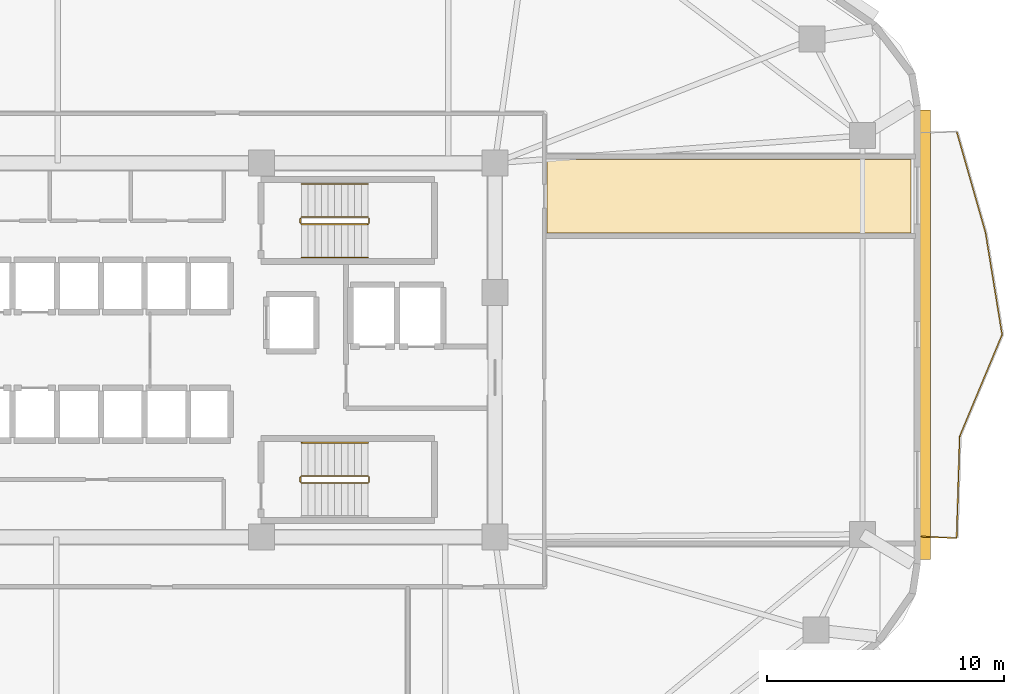
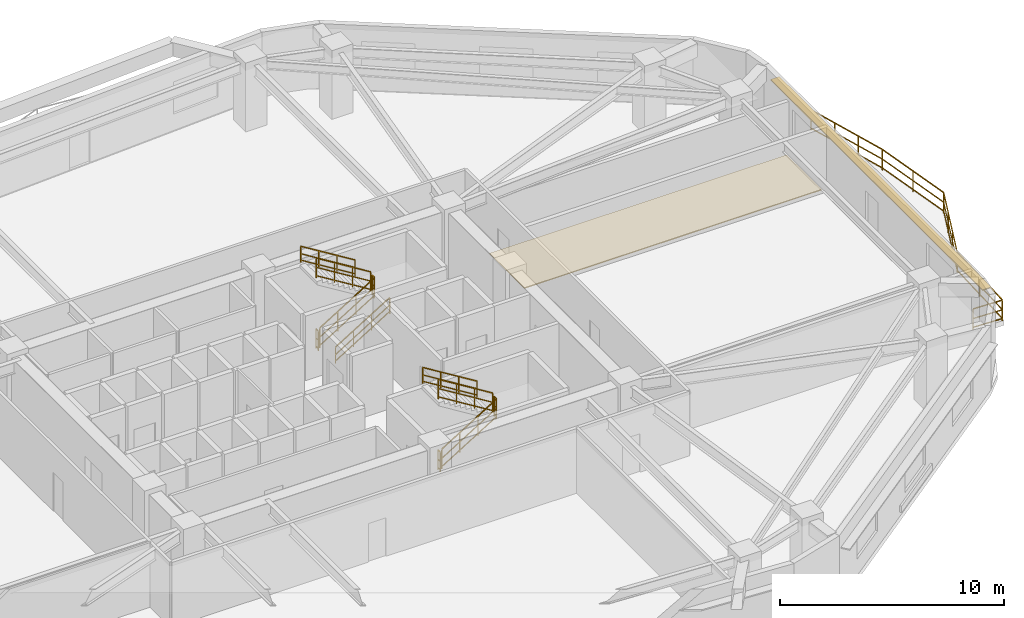
# One storey, part 8 of 9: 16 railings, 1 covering, 1 shading device.
"""IFC4 building model written with IfcOpenShell, lengths in metres."""

from ifc_helpers import new_model, si_unit, direction, frame, origin, origin_2d, place, context, subcontext, project, spatial, polyline, rectangle, outline, extrude, material, layer, layer_set, type_object, element, save


model = new_model("IFC4")

# Units and contexts
model_context = context("Model", 3, precision=1e-05, world=origin(), true_north=direction((0.0, 1.0)))
body_context = subcontext(model_context, "Body", "Model", "MODEL_VIEW")
ifc_project = project(units=[si_unit("LENGTHUNIT", "METRE"), si_unit("AREAUNIT", "SQUARE_METRE"), si_unit("VOLUMEUNIT", "CUBIC_METRE"), si_unit("PLANEANGLEUNIT", "RADIAN"), si_unit("MASSUNIT", "GRAM", prefix="KILO")], contexts=[model_context])

# Site, building, storey
site_placement = place(None, origin())
site = spatial("IfcSite", under=ifc_project, at=site_placement, CompositionType="ELEMENT")
building_placement = place(site_placement, origin())
building = spatial("IfcBuilding", under=site, at=building_placement, Name="Zulverin Broadcast Headquarters", CompositionType="ELEMENT")
storey_placement = place(building_placement, frame((0.0, 0.0, 104.800048828125)))
storey = spatial("IfcBuildingStorey", under=building, at=storey_placement, Name="L26", CompositionType="ELEMENT", Elevation=104.800048828125)

# Covering
ifc_material_1 = material(Name="Anti-static broadcast raised access flooring", Category="stone")
ifc_layer_1 = layer(ifc_material_1, 0.050048828125, Name="Anti-static broadcast raised access flooring", Category="stone")
ifc_layer_set_1 = layer_set([ifc_layer_1], Name="Anti-static broadcast raised access flooring")
covering_type = type_object("IfcCoveringType", Name="COV-FLR-RAISED", PredefinedType="FLOORING", material=ifc_layer_set_1)
covering_placement = place(storey_placement, origin())
element("IfcCovering", 1, at=covering_placement, inside=storey, type_object=covering_type, Name="L26 Broadcast Raised Access Flooring 02", PredefinedType="FLOORING", context=body_context, shape_type="SweptSolid", body=[
    extrude(outline(polyline([(50.471923828125, 30.1201171875), (65.800048828125, 30.1201171875), (65.800048828125, 33.23193359375), (50.471923828125, 33.23193359375), (50.471923828125, 30.1201171875)])), origin(), (0.0, 0.0, 1.0), 0.050048828125),
])

# Railings
ifc_material_2 = material(Name="Brushed stainless steel & laminated glass balustrade", Category="steel")
railing_type_1 = type_object("IfcRailingType", Name="RL-GUARD-1150", PredefinedType="GUARDRAIL", material=ifc_material_2)
railing_1_placement = place(storey_placement, frame((66.239990234375, 17.343505859375, 0.0)))
element("IfcRailing", 2, at=railing_1_placement, inside=storey, type_object=railing_type_1, Name="L26 Vertical-Forest Balcony Guardrail BAL_E Segment 01", PredefinedType="GUARDRAIL", context=body_context, shape_type="SweptSolid", body=[
    extrude(rectangle(XDim=0.048095703125, YDim=0.048095703125, at=origin_2d()), frame((0.0, 0.0, 1.1259765625), z_axis=(0.999174410196, -0.040626321628, 0.0), x_axis=(0.040626321628, 0.999174410196, 0.0)), (0.0, 0.0, 1.0), 1.46630859375),
    extrude(rectangle(XDim=0.0419921875, YDim=0.0419921875, at=origin_2d()), frame((0.0, 0.0, 0.597900390625), z_axis=(0.999174410196, -0.040626321628, 0.0), x_axis=(0.040626321628, 0.999174410196, 0.0)), (0.0, 0.0, 1.0), 1.46630859375),
    extrude(rectangle(XDim=0.0419921875, YDim=0.0419921875, at=origin_2d()), frame((0.0, 0.0, 0.1201171875), z_axis=(0.999174410196, -0.040626321628, 0.0), x_axis=(0.040626321628, 0.999174410196, 0.0)), (0.0, 0.0, 1.0), 1.46630859375),
    extrude(rectangle(XDim=0.0419921875, YDim=0.0419921875, at=origin_2d()), origin(), (0.0, 0.0, 1.0), 1.101806640625),
    extrude(rectangle(XDim=0.0419921875, YDim=0.0419921875, at=origin_2d()), frame((1.465087890625, -0.0595703125, 0.0)), (0.0, 0.0, 1.0), 1.101806640625),
])
railing_2_placement = place(storey_placement, frame((67.720458984375, 17.29833984375, 0.0)))
element("IfcRailing", 3, at=railing_2_placement, inside=storey, type_object=railing_type_1, Name="L26 Vertical-Forest Balcony Guardrail BAL_E Segment 02", PredefinedType="GUARDRAIL", context=body_context, shape_type="SweptSolid", body=[
    extrude(rectangle(XDim=0.048095703125, YDim=0.048095703125, at=origin_2d()), frame((0.0, 0.0, 1.1259765625), z_axis=(0.030066767835, 0.999547892535, 0.0), x_axis=(-0.999547892535, 0.030066767835, 0.0)), (0.0, 0.0, 1.0), 4.2548828125),
    extrude(rectangle(XDim=0.0419921875, YDim=0.0419921875, at=origin_2d()), frame((0.0, 0.0, 0.597900390625), z_axis=(0.030066767835, 0.999547892535, 0.0), x_axis=(-0.999547892535, 0.030066767835, 0.0)), (0.0, 0.0, 1.0), 4.2548828125),
    extrude(rectangle(XDim=0.0419921875, YDim=0.0419921875, at=origin_2d()), frame((0.0, 0.0, 0.1201171875), z_axis=(0.030066767835, 0.999547892535, 0.0), x_axis=(-0.999547892535, 0.030066767835, 0.0)), (0.0, 0.0, 1.0), 4.2548828125),
    extrude(rectangle(XDim=0.0419921875, YDim=0.0419921875, at=origin_2d()), origin(), (0.0, 0.0, 1.0), 1.101806640625),
    extrude(rectangle(XDim=0.0419921875, YDim=0.0419921875, at=origin_2d()), frame((0.06396484375, 2.12646484375, 0.0)), (0.0, 0.0, 1.0), 1.101806640625),
    extrude(rectangle(XDim=0.0419921875, YDim=0.0419921875, at=origin_2d()), frame((0.1279296875, 4.2529296875, 0.0)), (0.0, 0.0, 1.0), 1.101806640625),
])
railing_3_placement = place(storey_placement, frame((67.854736328125, 21.580078125, 0.0)))
element("IfcRailing", 4, at=railing_3_placement, inside=storey, type_object=railing_type_1, Name="L26 Vertical-Forest Balcony Guardrail BAL_E Segment 03", PredefinedType="GUARDRAIL", context=body_context, shape_type="SweptSolid", body=[
    extrude(rectangle(XDim=0.048095703125, YDim=0.048095703125, at=origin_2d()), frame((0.0, 0.0, 1.1259765625), z_axis=(0.384837228124, 0.922984456993, 0.0), x_axis=(-0.922984456993, 0.384837228124, 0.0)), (0.0, 0.0, 1.0), 4.610107421875),
    extrude(rectangle(XDim=0.0419921875, YDim=0.0419921875, at=origin_2d()), frame((0.0, 0.0, 0.597900390625), z_axis=(0.384837228124, 0.922984456993, 0.0), x_axis=(-0.922984456993, 0.384837228124, 0.0)), (0.0, 0.0, 1.0), 4.610107421875),
    extrude(rectangle(XDim=0.0419921875, YDim=0.0419921875, at=origin_2d()), frame((0.0, 0.0, 0.1201171875), z_axis=(0.384837228124, 0.922984456993, 0.0), x_axis=(-0.922984456993, 0.384837228124, 0.0)), (0.0, 0.0, 1.0), 4.610107421875),
    extrude(rectangle(XDim=0.0419921875, YDim=0.0419921875, at=origin_2d()), origin(), (0.0, 0.0, 1.0), 1.101806640625),
    extrude(rectangle(XDim=0.0419921875, YDim=0.0419921875, at=origin_2d()), frame((0.59130859375, 1.41845703125, 0.0)), (0.0, 0.0, 1.0), 1.101806640625),
    extrude(rectangle(XDim=0.0419921875, YDim=0.0419921875, at=origin_2d()), frame((1.182861328125, 2.836669921875, 0.0)), (0.0, 0.0, 1.0), 1.101806640625),
    extrude(rectangle(XDim=0.0419921875, YDim=0.0419921875, at=origin_2d()), frame((1.774169921875, 4.255126953125, 0.0)), (0.0, 0.0, 1.0), 1.101806640625),
])
railing_4_placement = place(storey_placement, frame((69.632080078125, 25.86376953125, 0.0)))
element("IfcRailing", 5, at=railing_4_placement, inside=storey, type_object=railing_type_1, Name="L26 Vertical-Forest Balcony Guardrail BAL_E Segment 04", PredefinedType="GUARDRAIL", context=body_context, shape_type="SweptSolid", body=[
    extrude(rectangle(XDim=0.048095703125, YDim=0.048095703125, at=origin_2d()), frame((0.0, 0.0, 1.1259765625), z_axis=(-0.160345697717, 0.987060918699, 0.0), x_axis=(-0.987060918699, -0.160345697717, 0.0)), (0.0, 0.0, 1.0), 4.308837890625),
    extrude(rectangle(XDim=0.0419921875, YDim=0.0419921875, at=origin_2d()), frame((0.0, 0.0, 0.597900390625), z_axis=(-0.160345697717, 0.987060918699, 0.0), x_axis=(-0.987060918699, -0.160345697717, 0.0)), (0.0, 0.0, 1.0), 4.308837890625),
    extrude(rectangle(XDim=0.0419921875, YDim=0.0419921875, at=origin_2d()), frame((0.0, 0.0, 0.1201171875), z_axis=(-0.160345697717, 0.987060918699, 0.0), x_axis=(-0.987060918699, -0.160345697717, 0.0)), (0.0, 0.0, 1.0), 4.308837890625),
    extrude(rectangle(XDim=0.0419921875, YDim=0.0419921875, at=origin_2d()), origin(), (0.0, 0.0, 1.0), 1.101806640625),
    extrude(rectangle(XDim=0.0419921875, YDim=0.0419921875, at=origin_2d()), frame((-0.345458984375, 2.12646484375, 0.0)), (0.0, 0.0, 1.0), 1.101806640625),
    extrude(rectangle(XDim=0.0419921875, YDim=0.0419921875, at=origin_2d()), frame((-0.69091796875, 4.253173828125, 0.0)), (0.0, 0.0, 1.0), 1.101806640625),
])
railing_5_placement = place(storey_placement, frame((68.9345703125, 30.14599609375, 0.0)))
element("IfcRailing", 6, at=railing_5_placement, inside=storey, type_object=railing_type_1, Name="L26 Vertical-Forest Balcony Guardrail BAL_E Segment 05", PredefinedType="GUARDRAIL", context=body_context, shape_type="SweptSolid", body=[
    extrude(rectangle(XDim=0.048095703125, YDim=0.048095703125, at=origin_2d()), frame((0.0, 0.0, 1.1259765625), z_axis=(-0.273671162685, 0.961823317826, 0.0), x_axis=(-0.961823317826, -0.273671162685, 0.0)), (0.0, 0.0, 1.0), 4.423095703125),
    extrude(rectangle(XDim=0.0419921875, YDim=0.0419921875, at=origin_2d()), frame((0.0, 0.0, 0.597900390625), z_axis=(-0.273671162685, 0.961823317826, 0.0), x_axis=(-0.961823317826, -0.273671162685, 0.0)), (0.0, 0.0, 1.0), 4.423095703125),
    extrude(rectangle(XDim=0.0419921875, YDim=0.0419921875, at=origin_2d()), frame((0.0, 0.0, 0.1201171875), z_axis=(-0.273671162685, 0.961823317826, 0.0), x_axis=(-0.961823317826, -0.273671162685, 0.0)), (0.0, 0.0, 1.0), 4.423095703125),
    extrude(rectangle(XDim=0.0419921875, YDim=0.0419921875, at=origin_2d()), origin(), (0.0, 0.0, 1.0), 1.101806640625),
    extrude(rectangle(XDim=0.0419921875, YDim=0.0419921875, at=origin_2d()), frame((-0.403564453125, 1.41796875, 0.0)), (0.0, 0.0, 1.0), 1.101806640625),
    extrude(rectangle(XDim=0.0419921875, YDim=0.0419921875, at=origin_2d()), frame((-0.806884765625, 2.836181640625, 0.0)), (0.0, 0.0, 1.0), 1.101806640625),
    extrude(rectangle(XDim=0.0419921875, YDim=0.0419921875, at=origin_2d()), frame((-1.21044921875, 4.254150390625, 0.0)), (0.0, 0.0, 1.0), 1.101806640625),
])
ifc_material_3 = material(Name="Painted galvanized steel tubular guardrail S355JR", Category="steel")
railing_type_2 = type_object("IfcRailingType", Name="RL-ST-GUARD", PredefinedType="GUARDRAIL", material=ifc_material_3)
railing_6_placement = place(storey_placement, frame((40.1298828125, 30.5, 0.172607421875)))
element("IfcRailing", 7, at=railing_6_placement, inside=storey, type_object=railing_type_2, Name="L26 ST-1 stair guard 1", PredefinedType="GUARDRAIL", context=body_context, shape_type="SweptSolid", body=[
    extrude(rectangle(XDim=0.048095703125, YDim=0.048095703125, at=origin_2d()), frame((0.0, 0.0, 1.076171875), z_axis=(0.851089632645, 0.0, 0.525020415988), x_axis=(0.0, 1.0, 0.0)), (0.0, 0.0, 1.0), 3.2900390625),
    extrude(rectangle(XDim=0.0419921875, YDim=0.0419921875, at=origin_2d()), frame((0.0, 0.0, 0.572021484375), z_axis=(0.851089632645, 0.0, 0.525020415988), x_axis=(0.0, 1.0, 0.0)), (0.0, 0.0, 1.0), 3.2900390625),
    extrude(rectangle(XDim=0.0419921875, YDim=0.0419921875, at=origin_2d()), frame((0.0, 0.0, 0.1201171875), z_axis=(0.851089632645, 0.0, 0.525020415988), x_axis=(0.0, 1.0, 0.0)), (0.0, 0.0, 1.0), 3.2900390625),
    extrude(rectangle(XDim=0.0419921875, YDim=0.0419921875, at=origin_2d()), origin(), (0.0, 0.0, 1.0), 1.052001953125),
    extrude(rectangle(XDim=0.0419921875, YDim=0.0419921875, at=origin_2d()), frame((0.933349609375, 0.0, 0.57568359375)), (0.0, 0.0, 1.0), 1.052001953125),
    extrude(rectangle(XDim=0.0419921875, YDim=0.0419921875, at=origin_2d()), frame((1.86669921875, 0.0, 1.151611328125)), (0.0, 0.0, 1.0), 1.052001953125),
    extrude(rectangle(XDim=0.0419921875, YDim=0.0419921875, at=origin_2d()), frame((2.800048828125, 0.0, 1.727294921875)), (0.0, 0.0, 1.0), 1.052001953125),
])
railing_7_placement = place(storey_placement, frame((42.97998046875, 30.550048828125, 1.89990234375)))
element("IfcRailing", 8, at=railing_7_placement, inside=storey, type_object=railing_type_2, Name="L26 ST-1 stair guard 2", PredefinedType="GUARDRAIL", context=body_context, shape_type="SweptSolid", body=[
    extrude(rectangle(XDim=0.048095703125, YDim=0.048095703125, at=origin_2d()), frame((0.0, 0.0, 1.076171875), z_axis=(0.0, 1.0, 0.0), x_axis=(-1.0, 0.0, 0.0)), (0.0, 0.0, 1.0), 0.199951171875),
    extrude(rectangle(XDim=0.0419921875, YDim=0.0419921875, at=origin_2d()), frame((0.0, 0.0, 0.572021484375), z_axis=(0.0, 1.0, 0.0), x_axis=(-1.0, 0.0, 0.0)), (0.0, 0.0, 1.0), 0.199951171875),
    extrude(rectangle(XDim=0.0419921875, YDim=0.0419921875, at=origin_2d()), frame((0.0, 0.0, 0.1201171875), z_axis=(0.0, 1.0, 0.0), x_axis=(-1.0, 0.0, 0.0)), (0.0, 0.0, 1.0), 0.199951171875),
    extrude(rectangle(XDim=0.0419921875, YDim=0.0419921875, at=origin_2d()), origin(), (0.0, 0.0, 1.0), 1.052001953125),
    extrude(rectangle(XDim=0.0419921875, YDim=0.0419921875, at=origin_2d()), frame((0.0, 0.199951171875, 0.0)), (0.0, 0.0, 1.0), 1.052001953125),
])
railing_8_placement = place(storey_placement, frame((42.929931640625, 30.800048828125, 2.07275390625)))
element("IfcRailing", 9, at=railing_8_placement, inside=storey, type_object=railing_type_2, Name="L26 ST-1 stair guard 3", PredefinedType="GUARDRAIL", context=body_context, shape_type="SweptSolid", body=[
    extrude(rectangle(XDim=0.048095703125, YDim=0.048095703125, at=origin_2d()), frame((0.0, 0.0, 1.076171875), z_axis=(-0.851089632645, 0.0, 0.525020415988), x_axis=(0.0, -1.0, 0.0)), (0.0, 0.0, 1.0), 3.2900390625),
    extrude(rectangle(XDim=0.0419921875, YDim=0.0419921875, at=origin_2d()), frame((0.0, 0.0, 0.572021484375), z_axis=(-0.851089632645, 0.0, 0.525020415988), x_axis=(0.0, -1.0, 0.0)), (0.0, 0.0, 1.0), 3.2900390625),
    extrude(rectangle(XDim=0.0419921875, YDim=0.0419921875, at=origin_2d()), frame((0.0, 0.0, 0.1201171875), z_axis=(-0.851089632645, 0.0, 0.525020415988), x_axis=(0.0, -1.0, 0.0)), (0.0, 0.0, 1.0), 3.2900390625),
    extrude(rectangle(XDim=0.0419921875, YDim=0.0419921875, at=origin_2d()), origin(), (0.0, 0.0, 1.0), 1.052001953125),
    extrude(rectangle(XDim=0.0419921875, YDim=0.0419921875, at=origin_2d()), frame((-0.933349609375, 0.0, 0.57568359375)), (0.0, 0.0, 1.0), 1.052001953125),
    extrude(rectangle(XDim=0.0419921875, YDim=0.0419921875, at=origin_2d()), frame((-1.86669921875, 0.0, 1.151611328125)), (0.0, 0.0, 1.0), 1.052001953125),
    extrude(rectangle(XDim=0.0419921875, YDim=0.0419921875, at=origin_2d()), frame((-2.800048828125, 0.0, 1.727294921875)), (0.0, 0.0, 1.0), 1.052001953125),
])
railing_9_placement = place(storey_placement, frame((40.080078125, 30.550048828125, 0.0)))
element("IfcRailing", 10, at=railing_9_placement, inside=storey, type_object=railing_type_2, Name="L26 ST-1 stair guard 4", PredefinedType="GUARDRAIL", context=body_context, shape_type="SweptSolid", body=[
    extrude(rectangle(XDim=0.048095703125, YDim=0.048095703125, at=origin_2d()), frame((0.0, 0.0, 1.076171875), z_axis=(0.0, 1.0, 0.0), x_axis=(-1.0, 0.0, 0.0)), (0.0, 0.0, 1.0), 0.199951171875),
    extrude(rectangle(XDim=0.0419921875, YDim=0.0419921875, at=origin_2d()), frame((0.0, 0.0, 0.572021484375), z_axis=(0.0, 1.0, 0.0), x_axis=(-1.0, 0.0, 0.0)), (0.0, 0.0, 1.0), 0.199951171875),
    extrude(rectangle(XDim=0.0419921875, YDim=0.0419921875, at=origin_2d()), frame((0.0, 0.0, 0.1201171875), z_axis=(0.0, 1.0, 0.0), x_axis=(-1.0, 0.0, 0.0)), (0.0, 0.0, 1.0), 0.199951171875),
    extrude(rectangle(XDim=0.0419921875, YDim=0.0419921875, at=origin_2d()), origin(), (0.0, 0.0, 1.0), 1.052001953125),
    extrude(rectangle(XDim=0.0419921875, YDim=0.0419921875, at=origin_2d()), frame((0.0, 0.199951171875, 0.0)), (0.0, 0.0, 1.0), 1.052001953125),
])
railing_10_placement = place(storey_placement, frame((40.1298828125, 19.60009765625, 0.172607421875)))
element("IfcRailing", 11, at=railing_10_placement, inside=storey, type_object=railing_type_2, Name="L26 ST-2 stair guard 1", PredefinedType="GUARDRAIL", context=body_context, shape_type="SweptSolid", body=[
    extrude(rectangle(XDim=0.048095703125, YDim=0.048095703125, at=origin_2d()), frame((0.0, 0.0, 1.076171875), z_axis=(0.851089632645, 0.0, 0.525020415988), x_axis=(0.0, 1.0, 0.0)), (0.0, 0.0, 1.0), 3.2900390625),
    extrude(rectangle(XDim=0.0419921875, YDim=0.0419921875, at=origin_2d()), frame((0.0, 0.0, 0.572021484375), z_axis=(0.851089632645, 0.0, 0.525020415988), x_axis=(0.0, 1.0, 0.0)), (0.0, 0.0, 1.0), 3.2900390625),
    extrude(rectangle(XDim=0.0419921875, YDim=0.0419921875, at=origin_2d()), frame((0.0, 0.0, 0.1201171875), z_axis=(0.851089632645, 0.0, 0.525020415988), x_axis=(0.0, 1.0, 0.0)), (0.0, 0.0, 1.0), 3.2900390625),
    extrude(rectangle(XDim=0.0419921875, YDim=0.0419921875, at=origin_2d()), origin(), (0.0, 0.0, 1.0), 1.052001953125),
    extrude(rectangle(XDim=0.0419921875, YDim=0.0419921875, at=origin_2d()), frame((0.933349609375, 0.0, 0.57568359375)), (0.0, 0.0, 1.0), 1.052001953125),
    extrude(rectangle(XDim=0.0419921875, YDim=0.0419921875, at=origin_2d()), frame((1.86669921875, 0.0, 1.151611328125)), (0.0, 0.0, 1.0), 1.052001953125),
    extrude(rectangle(XDim=0.0419921875, YDim=0.0419921875, at=origin_2d()), frame((2.800048828125, 0.0, 1.727294921875)), (0.0, 0.0, 1.0), 1.052001953125),
])
railing_11_placement = place(storey_placement, frame((42.97998046875, 19.64990234375, 1.89990234375)))
element("IfcRailing", 12, at=railing_11_placement, inside=storey, type_object=railing_type_2, Name="L26 ST-2 stair guard 2", PredefinedType="GUARDRAIL", context=body_context, shape_type="SweptSolid", body=[
    extrude(rectangle(XDim=0.048095703125, YDim=0.048095703125, at=origin_2d()), frame((0.0, 0.0, 1.076171875), z_axis=(0.0, 1.0, 0.0), x_axis=(-1.0, 0.0, 0.0)), (0.0, 0.0, 1.0), 0.2001953125),
    extrude(rectangle(XDim=0.0419921875, YDim=0.0419921875, at=origin_2d()), frame((0.0, 0.0, 0.572021484375), z_axis=(0.0, 1.0, 0.0), x_axis=(-1.0, 0.0, 0.0)), (0.0, 0.0, 1.0), 0.2001953125),
    extrude(rectangle(XDim=0.0419921875, YDim=0.0419921875, at=origin_2d()), frame((0.0, 0.0, 0.1201171875), z_axis=(0.0, 1.0, 0.0), x_axis=(-1.0, 0.0, 0.0)), (0.0, 0.0, 1.0), 0.2001953125),
    extrude(rectangle(XDim=0.0419921875, YDim=0.0419921875, at=origin_2d()), origin(), (0.0, 0.0, 1.0), 1.052001953125),
    extrude(rectangle(XDim=0.0419921875, YDim=0.0419921875, at=origin_2d()), frame((0.0, 0.2001953125, 0.0)), (0.0, 0.0, 1.0), 1.052001953125),
])
railing_12_placement = place(storey_placement, frame((42.929931640625, 19.89990234375, 2.07275390625)))
element("IfcRailing", 13, at=railing_12_placement, inside=storey, type_object=railing_type_2, Name="L26 ST-2 stair guard 3", PredefinedType="GUARDRAIL", context=body_context, shape_type="SweptSolid", body=[
    extrude(rectangle(XDim=0.048095703125, YDim=0.048095703125, at=origin_2d()), frame((0.0, 0.0, 1.076171875), z_axis=(-0.851089632645, 0.0, 0.525020415988), x_axis=(0.0, -1.0, 0.0)), (0.0, 0.0, 1.0), 3.2900390625),
    extrude(rectangle(XDim=0.0419921875, YDim=0.0419921875, at=origin_2d()), frame((0.0, 0.0, 0.572021484375), z_axis=(-0.851089632645, 0.0, 0.525020415988), x_axis=(0.0, -1.0, 0.0)), (0.0, 0.0, 1.0), 3.2900390625),
    extrude(rectangle(XDim=0.0419921875, YDim=0.0419921875, at=origin_2d()), frame((0.0, 0.0, 0.1201171875), z_axis=(-0.851089632645, 0.0, 0.525020415988), x_axis=(0.0, -1.0, 0.0)), (0.0, 0.0, 1.0), 3.2900390625),
    extrude(rectangle(XDim=0.0419921875, YDim=0.0419921875, at=origin_2d()), origin(), (0.0, 0.0, 1.0), 1.052001953125),
    extrude(rectangle(XDim=0.0419921875, YDim=0.0419921875, at=origin_2d()), frame((-0.933349609375, 0.0, 0.57568359375)), (0.0, 0.0, 1.0), 1.052001953125),
    extrude(rectangle(XDim=0.0419921875, YDim=0.0419921875, at=origin_2d()), frame((-1.86669921875, 0.0, 1.151611328125)), (0.0, 0.0, 1.0), 1.052001953125),
    extrude(rectangle(XDim=0.0419921875, YDim=0.0419921875, at=origin_2d()), frame((-2.800048828125, 0.0, 1.727294921875)), (0.0, 0.0, 1.0), 1.052001953125),
])
railing_13_placement = place(storey_placement, frame((40.080078125, 19.64990234375, 0.0)))
element("IfcRailing", 14, at=railing_13_placement, inside=storey, type_object=railing_type_2, Name="L26 ST-2 stair guard 4", PredefinedType="GUARDRAIL", context=body_context, shape_type="SweptSolid", body=[
    extrude(rectangle(XDim=0.048095703125, YDim=0.048095703125, at=origin_2d()), frame((0.0, 0.0, 1.076171875), z_axis=(0.0, 1.0, 0.0), x_axis=(-1.0, 0.0, 0.0)), (0.0, 0.0, 1.0), 0.2001953125),
    extrude(rectangle(XDim=0.0419921875, YDim=0.0419921875, at=origin_2d()), frame((0.0, 0.0, 0.572021484375), z_axis=(0.0, 1.0, 0.0), x_axis=(-1.0, 0.0, 0.0)), (0.0, 0.0, 1.0), 0.2001953125),
    extrude(rectangle(XDim=0.0419921875, YDim=0.0419921875, at=origin_2d()), frame((0.0, 0.0, 0.1201171875), z_axis=(0.0, 1.0, 0.0), x_axis=(-1.0, 0.0, 0.0)), (0.0, 0.0, 1.0), 0.2001953125),
    extrude(rectangle(XDim=0.0419921875, YDim=0.0419921875, at=origin_2d()), origin(), (0.0, 0.0, 1.0), 1.052001953125),
    extrude(rectangle(XDim=0.0419921875, YDim=0.0419921875, at=origin_2d()), frame((0.0, 0.2001953125, 0.0)), (0.0, 0.0, 1.0), 1.052001953125),
])
ifc_material_4 = material(Name="Brushed stainless steel 48 mm handrail", Category="steel")
railing_type_3 = type_object("IfcRailingType", Name="RL-ST-HAND", PredefinedType="HANDRAIL", material=ifc_material_4)
railing_14_placement = place(storey_placement, frame((40.1298828125, 29.10009765625, 0.172607421875)))
element("IfcRailing", 15, at=railing_14_placement, inside=storey, type_object=railing_type_3, Name="L26 ST-1 stair handrail 1", PredefinedType="HANDRAIL", context=body_context, shape_type="SweptSolid", body=[
    extrude(rectangle(XDim=0.048095703125, YDim=0.048095703125, at=origin_2d()), frame((0.0, 0.0, 0.8759765625), z_axis=(0.851089632645, 0.0, 0.525020415988), x_axis=(0.0, 1.0, 0.0)), (0.0, 0.0, 1.0), 3.2900390625),
    extrude(rectangle(XDim=0.0419921875, YDim=0.0419921875, at=origin_2d()), frame((0.0, 0.0, 0.468017578125), z_axis=(0.851089632645, 0.0, 0.525020415988), x_axis=(0.0, 1.0, 0.0)), (0.0, 0.0, 1.0), 3.2900390625),
    extrude(rectangle(XDim=0.0419921875, YDim=0.0419921875, at=origin_2d()), frame((0.0, 0.0, 0.1201171875), z_axis=(0.851089632645, 0.0, 0.525020415988), x_axis=(0.0, 1.0, 0.0)), (0.0, 0.0, 1.0), 3.2900390625),
    extrude(rectangle(XDim=0.0419921875, YDim=0.0419921875, at=origin_2d()), origin(), (0.0, 0.0, 1.0), 0.851806640625),
    extrude(rectangle(XDim=0.0419921875, YDim=0.0419921875, at=origin_2d()), frame((0.933349609375, 0.0, 0.57568359375)), (0.0, 0.0, 1.0), 0.851806640625),
    extrude(rectangle(XDim=0.0419921875, YDim=0.0419921875, at=origin_2d()), frame((1.86669921875, 0.0, 1.151611328125)), (0.0, 0.0, 1.0), 0.851806640625),
    extrude(rectangle(XDim=0.0419921875, YDim=0.0419921875, at=origin_2d()), frame((2.800048828125, 0.0, 1.727294921875)), (0.0, 0.0, 1.0), 0.851806640625),
])
for number, where, name in (
    (16, (42.929931640625, 32.199951171875, 2.07275390625), "L26 ST-1 stair handrail 2"),
    (17, (42.929931640625, 21.300048828125, 2.07275390625), "L26 ST-2 stair handrail 2"),
):
    element("IfcRailing", number, at=place(storey_placement, frame(where)), inside=storey, type_object=railing_type_3, Name=name, PredefinedType="HANDRAIL", context=body_context, shape_type="SweptSolid", body=[
        extrude(rectangle(XDim=0.048095703125, YDim=0.048095703125, at=origin_2d()), frame((0.0, 0.0, 0.8759765625), z_axis=(-0.851089632645, 0.0, 0.525020415988), x_axis=(0.0, -1.0, 0.0)), (0.0, 0.0, 1.0), 3.2900390625),
        extrude(rectangle(XDim=0.0419921875, YDim=0.0419921875, at=origin_2d()), frame((0.0, 0.0, 0.468017578125), z_axis=(-0.851089632645, 0.0, 0.525020415988), x_axis=(0.0, -1.0, 0.0)), (0.0, 0.0, 1.0), 3.2900390625),
        extrude(rectangle(XDim=0.0419921875, YDim=0.0419921875, at=origin_2d()), frame((0.0, 0.0, 0.1201171875), z_axis=(-0.851089632645, 0.0, 0.525020415988), x_axis=(0.0, -1.0, 0.0)), (0.0, 0.0, 1.0), 3.2900390625),
        extrude(rectangle(XDim=0.0419921875, YDim=0.0419921875, at=origin_2d()), origin(), (0.0, 0.0, 1.0), 0.851806640625),
        extrude(rectangle(XDim=0.0419921875, YDim=0.0419921875, at=origin_2d()), frame((-0.933349609375, 0.0, 0.57568359375)), (0.0, 0.0, 1.0), 0.851806640625),
        extrude(rectangle(XDim=0.0419921875, YDim=0.0419921875, at=origin_2d()), frame((-1.86669921875, 0.0, 1.151611328125)), (0.0, 0.0, 1.0), 0.851806640625),
        extrude(rectangle(XDim=0.0419921875, YDim=0.0419921875, at=origin_2d()), frame((-2.800048828125, 0.0, 1.727294921875)), (0.0, 0.0, 1.0), 0.851806640625),
    ])

# Shading device
ifc_material_5 = material(Name="Anodized pale-metal aluminium sunshade", Category="aluminium")
ifc_layer_2 = layer(ifc_material_5, 0.06005859375, Name="Anodized pale-metal aluminium sunshade", Category="aluminium")
ifc_layer_set_2 = layer_set([ifc_layer_2], Name="Anodized pale-metal aluminium sunshade")
shading_device_type = type_object("IfcShadingDeviceType", Name="SS-01_PALE_METAL_ALUMINIUM_SUNSHADE", PredefinedType="USERDEFINED", material=ifc_layer_set_2)
shading_device_placement = place(storey_placement, frame((66.39990234375, 25.848876953125, 2.7099609375), z_axis=(0.0, 0.0, 1.0), x_axis=(0.0, 1.0, 0.0)))
element("IfcShadingDevice", 18, at=shading_device_placement, inside=storey, type_object=shading_device_type, Name="L26 Horizontal Pale-Metal Sunshade Band 3", ObjectType="SUNSHADE", PredefinedType="USERDEFINED", context=body_context, shape_type="SweptSolid", body=[
    extrude(rectangle(XDim=18.93115234375, YDim=0.449951171875, at=origin_2d()), origin(), (0.0, 0.0, 1.0), 0.06005859375),
])

save(model, "model.ifc")
